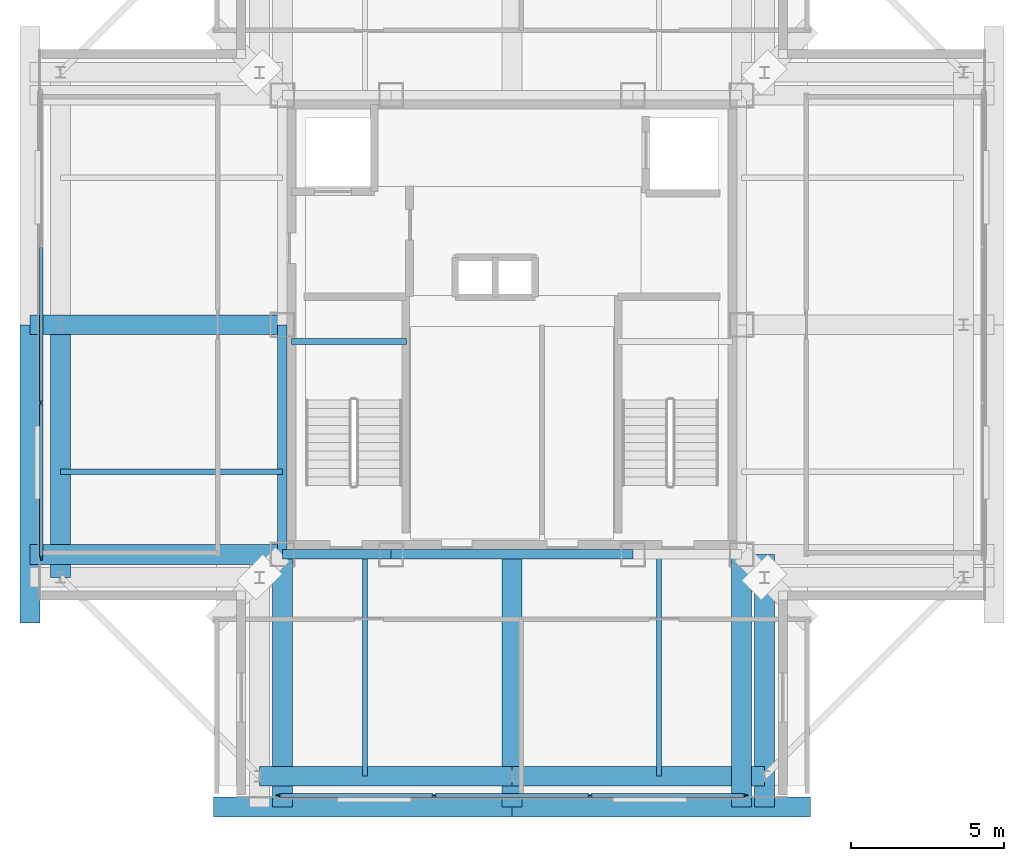
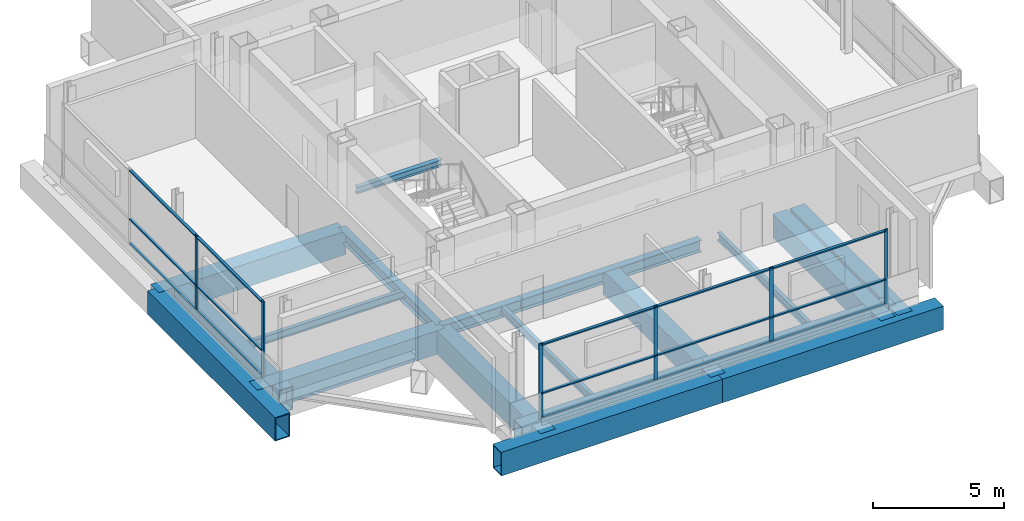
# One storey, part 2 of 10: 21 members, 19 beams, 2 elements without a shape of their own.
"""IFC4 building model written with IfcOpenShell, lengths in metres."""

from ifc_helpers import new_model, si_unit, direction, frame, origin, origin_2d, place, context, subcontext, project, spatial, rectangle, hollow_rectangle, i_section, extrude, material, layer, layer_set, material_profile, profile_set, type_object, element, aggregate, save


model = new_model("IFC4")

# Units and contexts
model_context = context("Model", 3, precision=1e-05, world=origin(), true_north=direction((0.0, 1.0)))
body_context = subcontext(model_context, "Body", "Model", "MODEL_VIEW")
ifc_project = project(units=[si_unit("LENGTHUNIT", "METRE"), si_unit("AREAUNIT", "SQUARE_METRE"), si_unit("VOLUMEUNIT", "CUBIC_METRE"), si_unit("PLANEANGLEUNIT", "RADIAN"), si_unit("MASSUNIT", "GRAM", prefix="KILO")], contexts=[model_context])

# Site, building, storey
site_placement = place(None, origin())
site = spatial("IfcSite", under=ifc_project, at=site_placement, CompositionType="ELEMENT")
building_placement = place(site_placement, origin())
building = spatial("IfcBuilding", under=site, at=building_placement, Name="Trevonay Congress Spire", CompositionType="ELEMENT")
storey_placement = place(building_placement, frame((0.0, 0.0, 316.0)))
storey = spatial("IfcBuildingStorey", under=building, at=storey_placement, Name="L83", CompositionType="ELEMENT", Elevation=316.0)

# Beams
ifc_material_1 = material(Name="Steel ASTM A572 Grade 50", Category="steel")
ifc_material_profile_1 = material_profile(ifc_material_1, i_section(OverallWidth=0.31201171875, OverallDepth=0.54296875, WebThickness=0.0126953125, FlangeThickness=0.020263671875, FilletRadius=0.014892578125, at=origin_2d()), Name="W530x150")
ifc_profile_set_1 = profile_set([ifc_material_profile_1], Name="Steel ASTM A572 Grade 50")
beam_type_1 = type_object("IfcBeamType", Name="BM-GIRD-W530X150", PredefinedType="BEAM", material=ifc_profile_set_1)
beam_1_placement = place(storey_placement, frame((-7.5, -7.5, -0.67138671875), z_axis=(1.0, 0.0, 0.0), x_axis=(0.0, 1.0, 0.0)))
element("IfcBeam", 1, at=beam_1_placement, inside=storey, type_object=beam_type_1, Name="L83 structural beam BM-L83-CR-S1", PredefinedType="BEAM", context=body_context, shape_type="SweptSolid", body=[
    extrude(i_section(OverallWidth=0.31201171875, OverallDepth=0.54296875, WebThickness=0.0126953125, FlangeThickness=0.020263671875, FilletRadius=0.014892578125, at=origin_2d()), origin(), (0.0, 0.0, 1.0), 3.550048828125),
])
beam_2_placement = place(storey_placement, frame((-3.949951171875, -7.5, -0.67138671875), z_axis=(1.0, 0.0, 0.0), x_axis=(0.0, 1.0, 0.0)))
element("IfcBeam", 2, at=beam_2_placement, inside=storey, type_object=beam_type_1, Name="L83 structural beam BM-L83-CR-S2", PredefinedType="BEAM", context=body_context, shape_type="SweptSolid", body=[
    extrude(i_section(OverallWidth=0.31201171875, OverallDepth=0.54296875, WebThickness=0.0126953125, FlangeThickness=0.020263671875, FilletRadius=0.014892578125, at=origin_2d()), origin(), (0.0, 0.0, 1.0), 7.89990234375),
])
beam_3_placement = place(storey_placement, frame((-7.5, -7.5, -0.67138671875), z_axis=(0.0, 1.0, 0.0), x_axis=(-1.0, 0.0, 0.0)))
element("IfcBeam", 3, at=beam_3_placement, inside=storey, type_object=beam_type_1, Name="L83 structural beam BM-L83-CR-W1", PredefinedType="BEAM", context=body_context, shape_type="SweptSolid", body=[
    extrude(i_section(OverallWidth=0.31201171875, OverallDepth=0.54296875, WebThickness=0.0126953125, FlangeThickness=0.020263671875, FilletRadius=0.014892578125, at=origin_2d()), origin(), (0.0, 0.0, 1.0), 7.5),
])
ifc_material_profile_2 = material_profile(ifc_material_1, hollow_rectangle(XDim=0.64990234375, YDim=1.10009765625, WallThickness=0.044921875, at=origin_2d()), Name="BOX 1100x650x45")
ifc_profile_set_2 = profile_set([ifc_material_profile_2], Name="Steel ASTM A572 Grade 50")
beam_type_2 = type_object("IfcBeamType", Name="BM-RING-BOX1100", PredefinedType="BEAM", material=ifc_profile_set_2)
for number, where, z_axis, x_axis, name in (
    (4, (-8.25, -14.75, -0.949951171875), (1.0, 0.0, 0.0), (0.0, 1.0, 0.0), "L83 structural beam BM-L83-PS1"),
    (5, (-14.75, -8.25, -0.949951171875), (0.0, 1.0, 0.0), (-1.0, 0.0, 0.0), "L83 structural beam BM-L83-PW1"),
    (6, (0.0, -14.75, -0.949951171875), (1.0, 0.0, 0.0), (0.0, 1.0, 0.0), "L83 structural beam BM-L83-PS2"),
):
    element("IfcBeam", number, at=place(storey_placement, frame(where, z_axis=z_axis, x_axis=x_axis)), inside=storey, type_object=beam_type_2, Name=name, PredefinedType="BEAM", context=body_context, shape_type="SweptSolid", body=[
        extrude(hollow_rectangle(XDim=0.64990234375, YDim=1.10009765625, WallThickness=0.044921875, at=origin_2d()), origin(), (0.0, 0.0, 1.0), 8.25),
    ])
for number, where, z_axis, x_axis, name in (
    (7, (-9.75, -15.75, -0.949951171875), (1.0, 0.0, 0.0), (0.0, 1.0, 0.0), "L83 structural beam XOUT-L83-S0"),
    (8, (-15.75, -9.75, -0.949951171875), (0.0, 1.0, 0.0), (-1.0, 0.0, 0.0), "L83 structural beam XOUT-L83-W0"),
    (9, (0.0, -15.75, -0.949951171875), (1.0, 0.0, 0.0), (0.0, 1.0, 0.0), "L83 structural beam XOUT-L83-S1"),
):
    element("IfcBeam", number, at=place(storey_placement, frame(where, z_axis=z_axis, x_axis=x_axis)), inside=storey, type_object=beam_type_2, Name=name, PredefinedType="BEAM", context=body_context, shape_type="SweptSolid", body=[
        extrude(hollow_rectangle(XDim=0.64990234375, YDim=1.10009765625, WallThickness=0.044921875, at=origin_2d()), origin(), (0.0, 0.0, 1.0), 9.75),
    ])
ifc_material_profile_3 = material_profile(ifc_material_1, hollow_rectangle(XDim=0.64990234375, YDim=1.10009765625, WallThickness=0.044921875, at=origin_2d()), Name="BOX 1100x650x45")
ifc_profile_set_3 = profile_set([ifc_material_profile_3], Name="Steel ASTM A572 Grade 50")
beam_type_3 = type_object("IfcBeamType", Name="BM-XFER-BOX1100", PredefinedType="BEAM", material=ifc_profile_set_3)
for number, where, z_axis, x_axis, name in (
    (10, (-7.5, -7.5, -0.949951171875), (-1.0, 0.0, 0.0), (0.0, -1.0, 0.0), "L83 structural beam XSPN-L83-CX-SW"),
    (11, (-7.5, -7.5, -0.949951171875), (0.0, -1.0, 0.0), (1.0, 0.0, 0.0), "L83 structural beam XSPN-L83-CY-SW"),
    (12, (7.5, -7.5, -0.949951171875), (0.0, -1.0, 0.0), (1.0, 0.0, 0.0), "L83 structural beam XSPN-L83-CY-SE"),
    (13, (0.0, -7.5, -0.949951171875), (0.0, -1.0, 0.0), (1.0, 0.0, 0.0), "L83 structural beam XFER-L83-S1"),
    (14, (-7.5, 0.0, -0.949951171875), (-1.0, 0.0, 0.0), (0.0, -1.0, 0.0), "L83 structural beam XFER-L83-W1"),
    (15, (8.25, -7.5, -0.949951171875), (0.0, -1.0, 0.0), (1.0, 0.0, 0.0), "L83 structural beam XFER-L83-S2"),
):
    element("IfcBeam", number, at=place(storey_placement, frame(where, z_axis=z_axis, x_axis=x_axis)), inside=storey, type_object=beam_type_3, Name=name, PredefinedType="BEAM", context=body_context, shape_type="SweptSolid", body=[
        extrude(hollow_rectangle(XDim=0.64990234375, YDim=1.10009765625, WallThickness=0.044921875, at=origin_2d()), origin(), (0.0, 0.0, 1.0), 8.25),
    ])

# Curtain wall, members
ifc_material_2 = material(Name="Pale Anodised Aluminium EN AW-6063-T6", Category="aluminium")
ifc_layer = layer(ifc_material_2, 0.159912109375, Name="Pale Anodised Aluminium EN AW-6063-T6")
ifc_layer_set = layer_set([ifc_layer], Name="Pale Anodised Aluminium EN AW-6063-T6")
curtain_wall_type = type_object("IfcCurtainWallType", Name="CW-SYS06-CROWN-PALE-METAL", PredefinedType="NOTDEFINED", material=ifc_layer_set)
curtain_wall_1_placement = place(storey_placement, origin())
curtain_wall_1 = element("IfcCurtainWall", 16, at=curtain_wall_1_placement, inside=storey, type_object=curtain_wall_type, Name="L83 S unitised curtain wall", PredefinedType="NOTDEFINED")
ifc_material_profile_4 = material_profile(ifc_material_2, rectangle(XDim=0.06005859375, YDim=0.159912109375, at=origin_2d()), Name="CW-MULLION-160-ALUMINIUM")
ifc_profile_set_4 = profile_set([ifc_material_profile_4], Name="Pale Anodised Aluminium EN AW-6063-T6")
member_type_1 = type_object("IfcMemberType", Name="CW-MULLION-160-ALUMINIUM", PredefinedType="MULLION", material=ifc_profile_set_4)
member_1_placement = place(storey_placement, frame((-7.6201171875, -15.3798828125, 0.0), z_axis=(0.0, 0.0, 1.0), x_axis=(0.0, 1.0, 0.0)))
member_1 = element("IfcMember", 17, at=member_1_placement, type_object=member_type_1, Name="CW06 mullion 1", PredefinedType="MULLION", context=body_context, shape_type="SweptSolid", body=[
    extrude(rectangle(XDim=0.06005859375, YDim=0.159912109375, at=origin_2d()), origin(), (0.0, 0.0, 1.0), 3.52001953125),
])
member_2_placement = place(storey_placement, frame((-2.550048828125, -15.3798828125, 0.0), z_axis=(0.0, 0.0, 1.0), x_axis=(0.0, 1.0, 0.0)))
member_2 = element("IfcMember", 18, at=member_2_placement, type_object=member_type_1, Name="CW06 mullion 2", PredefinedType="MULLION", context=body_context, shape_type="SweptSolid", body=[
    extrude(rectangle(XDim=0.06005859375, YDim=0.159912109375, at=origin_2d()), origin(), (0.0, 0.0, 1.0), 3.52001953125),
])
member_3_placement = place(storey_placement, frame((2.550048828125, -15.3798828125, 0.0), z_axis=(0.0, 0.0, 1.0), x_axis=(0.0, 1.0, 0.0)))
member_3 = element("IfcMember", 19, at=member_3_placement, type_object=member_type_1, Name="CW06 mullion 3", PredefinedType="MULLION", context=body_context, shape_type="SweptSolid", body=[
    extrude(rectangle(XDim=0.06005859375, YDim=0.159912109375, at=origin_2d()), origin(), (0.0, 0.0, 1.0), 3.52001953125),
])
member_4_placement = place(storey_placement, frame((7.6201171875, -15.3798828125, 0.0), z_axis=(0.0, 0.0, 1.0), x_axis=(0.0, 1.0, 0.0)))
member_4 = element("IfcMember", 20, at=member_4_placement, type_object=member_type_1, Name="CW06 mullion 4", PredefinedType="MULLION", context=body_context, shape_type="SweptSolid", body=[
    extrude(rectangle(XDim=0.06005859375, YDim=0.159912109375, at=origin_2d()), origin(), (0.0, 0.0, 1.0), 3.52001953125),
])

curtain_wall_2_placement = place(storey_placement, origin())
curtain_wall_2 = element("IfcCurtainWall", 21, at=curtain_wall_2_placement, inside=storey, type_object=curtain_wall_type, Name="L83 W unitised curtain wall", PredefinedType="NOTDEFINED")
member_5_placement = place(storey_placement, frame((-15.3798828125, -7.6201171875, 0.0), z_axis=(0.0, 0.0, 1.0), x_axis=(-1.0, 0.0, 0.0)))
member_5 = element("IfcMember", 22, at=member_5_placement, type_object=member_type_1, Name="CW06 mullion 1", PredefinedType="MULLION", context=body_context, shape_type="SweptSolid", body=[
    extrude(rectangle(XDim=0.06005859375, YDim=0.159912109375, at=origin_2d()), origin(), (0.0, 0.0, 1.0), 3.52001953125),
])
member_6_placement = place(storey_placement, frame((-15.3798828125, -2.550048828125, 0.0), z_axis=(0.0, 0.0, 1.0), x_axis=(-1.0, 0.0, 0.0)))
member_6 = element("IfcMember", 23, at=member_6_placement, type_object=member_type_1, Name="CW06 mullion 2", PredefinedType="MULLION", context=body_context, shape_type="SweptSolid", body=[
    extrude(rectangle(XDim=0.06005859375, YDim=0.159912109375, at=origin_2d()), origin(), (0.0, 0.0, 1.0), 3.52001953125),
])

# Member
ifc_material_profile_5 = material_profile(ifc_material_2, rectangle(XDim=0.1201171875, YDim=0.06005859375, at=origin_2d()), Name="CW-TRANSOM-120-ALUMINIUM")
ifc_profile_set_5 = profile_set([ifc_material_profile_5], Name="Pale Anodised Aluminium EN AW-6063-T6")
member_type_2 = type_object("IfcMemberType", Name="CW-TRANSOM-120-ALUMINIUM", PredefinedType="USERDEFINED", material=ifc_profile_set_5)
member_7_placement = place(storey_placement, frame((-7.590087890625, -15.3798828125, 0.06005859375), z_axis=(1.0, 0.0, 0.0), x_axis=(0.0, 1.0, 0.0)))
member_7 = element("IfcMember", 24, at=member_7_placement, type_object=member_type_2, Name="CW06 transom 1.1", ObjectType="TRANSOM", PredefinedType="USERDEFINED", context=body_context, shape_type="SweptSolid", body=[
    extrude(rectangle(XDim=0.1201171875, YDim=0.06005859375, at=origin_2d()), origin(), (0.0, 0.0, 1.0), 5.010009765625),
])

member_8_placement = place(storey_placement, frame((-7.590087890625, -15.3798828125, 1.19677734375), z_axis=(1.0, 0.0, 0.0), x_axis=(0.0, 1.0, 0.0)))
member_8 = element("IfcMember", 25, at=member_8_placement, type_object=member_type_2, Name="CW06 transom 1.2", ObjectType="TRANSOM", PredefinedType="USERDEFINED", context=body_context, shape_type="SweptSolid", body=[
    extrude(rectangle(XDim=0.1201171875, YDim=0.06005859375, at=origin_2d()), origin(), (0.0, 0.0, 1.0), 5.010009765625),
])

member_9_placement = place(storey_placement, frame((-7.590087890625, -15.3798828125, 3.4599609375), z_axis=(1.0, 0.0, 0.0), x_axis=(0.0, 1.0, 0.0)))
member_9 = element("IfcMember", 26, at=member_9_placement, type_object=member_type_2, Name="CW06 transom 1.3", ObjectType="TRANSOM", PredefinedType="USERDEFINED", context=body_context, shape_type="SweptSolid", body=[
    extrude(rectangle(XDim=0.1201171875, YDim=0.06005859375, at=origin_2d()), origin(), (0.0, 0.0, 1.0), 5.010009765625),
])

member_10_placement = place(storey_placement, frame((-2.52001953125, -15.3798828125, 0.06005859375), z_axis=(1.0, 0.0, 0.0), x_axis=(0.0, 1.0, 0.0)))
member_10 = element("IfcMember", 27, at=member_10_placement, type_object=member_type_2, Name="CW06 transom 2.1", ObjectType="TRANSOM", PredefinedType="USERDEFINED", context=body_context, shape_type="SweptSolid", body=[
    extrude(rectangle(XDim=0.1201171875, YDim=0.06005859375, at=origin_2d()), origin(), (0.0, 0.0, 1.0), 5.0400390625),
])

member_11_placement = place(storey_placement, frame((-2.52001953125, -15.3798828125, 1.19677734375), z_axis=(1.0, 0.0, 0.0), x_axis=(0.0, 1.0, 0.0)))
member_11 = element("IfcMember", 28, at=member_11_placement, type_object=member_type_2, Name="CW06 transom 2.2", ObjectType="TRANSOM", PredefinedType="USERDEFINED", context=body_context, shape_type="SweptSolid", body=[
    extrude(rectangle(XDim=0.1201171875, YDim=0.06005859375, at=origin_2d()), origin(), (0.0, 0.0, 1.0), 5.0400390625),
])

member_12_placement = place(storey_placement, frame((-2.52001953125, -15.3798828125, 3.4599609375), z_axis=(1.0, 0.0, 0.0), x_axis=(0.0, 1.0, 0.0)))
member_12 = element("IfcMember", 29, at=member_12_placement, type_object=member_type_2, Name="CW06 transom 2.3", ObjectType="TRANSOM", PredefinedType="USERDEFINED", context=body_context, shape_type="SweptSolid", body=[
    extrude(rectangle(XDim=0.1201171875, YDim=0.06005859375, at=origin_2d()), origin(), (0.0, 0.0, 1.0), 5.0400390625),
])

member_13_placement = place(storey_placement, frame((2.580078125, -15.3798828125, 0.06005859375), z_axis=(1.0, 0.0, 0.0), x_axis=(0.0, 1.0, 0.0)))
member_13 = element("IfcMember", 30, at=member_13_placement, type_object=member_type_2, Name="CW06 transom 3.1", ObjectType="TRANSOM", PredefinedType="USERDEFINED", context=body_context, shape_type="SweptSolid", body=[
    extrude(rectangle(XDim=0.1201171875, YDim=0.06005859375, at=origin_2d()), origin(), (0.0, 0.0, 1.0), 5.010009765625),
])

member_14_placement = place(storey_placement, frame((2.580078125, -15.3798828125, 1.19677734375), z_axis=(1.0, 0.0, 0.0), x_axis=(0.0, 1.0, 0.0)))
member_14 = element("IfcMember", 31, at=member_14_placement, type_object=member_type_2, Name="CW06 transom 3.2", ObjectType="TRANSOM", PredefinedType="USERDEFINED", context=body_context, shape_type="SweptSolid", body=[
    extrude(rectangle(XDim=0.1201171875, YDim=0.06005859375, at=origin_2d()), origin(), (0.0, 0.0, 1.0), 5.010009765625),
])

member_15_placement = place(storey_placement, frame((2.580078125, -15.3798828125, 3.4599609375), z_axis=(1.0, 0.0, 0.0), x_axis=(0.0, 1.0, 0.0)))
member_15 = element("IfcMember", 32, at=member_15_placement, type_object=member_type_2, Name="CW06 transom 3.3", ObjectType="TRANSOM", PredefinedType="USERDEFINED", context=body_context, shape_type="SweptSolid", body=[
    extrude(rectangle(XDim=0.1201171875, YDim=0.06005859375, at=origin_2d()), origin(), (0.0, 0.0, 1.0), 5.010009765625),
])

aggregate(curtain_wall_1, [member_1, member_2, member_3, member_4, member_7, member_8, member_9, member_10, member_11, member_12, member_13, member_14, member_15])

member_16_placement = place(storey_placement, frame((-15.3798828125, -7.590087890625, 0.06005859375), z_axis=(0.0, 1.0, 0.0), x_axis=(-1.0, 0.0, 0.0)))
member_16 = element("IfcMember", 33, at=member_16_placement, type_object=member_type_2, Name="CW06 transom 1.1", ObjectType="TRANSOM", PredefinedType="USERDEFINED", context=body_context, shape_type="SweptSolid", body=[
    extrude(rectangle(XDim=0.1201171875, YDim=0.06005859375, at=origin_2d()), origin(), (0.0, 0.0, 1.0), 5.010009765625),
])

member_17_placement = place(storey_placement, frame((-15.3798828125, -7.590087890625, 1.19677734375), z_axis=(0.0, 1.0, 0.0), x_axis=(-1.0, 0.0, 0.0)))
member_17 = element("IfcMember", 34, at=member_17_placement, type_object=member_type_2, Name="CW06 transom 1.2", ObjectType="TRANSOM", PredefinedType="USERDEFINED", context=body_context, shape_type="SweptSolid", body=[
    extrude(rectangle(XDim=0.1201171875, YDim=0.06005859375, at=origin_2d()), origin(), (0.0, 0.0, 1.0), 5.010009765625),
])

member_18_placement = place(storey_placement, frame((-15.3798828125, -7.590087890625, 3.4599609375), z_axis=(0.0, 1.0, 0.0), x_axis=(-1.0, 0.0, 0.0)))
member_18 = element("IfcMember", 35, at=member_18_placement, type_object=member_type_2, Name="CW06 transom 1.3", ObjectType="TRANSOM", PredefinedType="USERDEFINED", context=body_context, shape_type="SweptSolid", body=[
    extrude(rectangle(XDim=0.1201171875, YDim=0.06005859375, at=origin_2d()), origin(), (0.0, 0.0, 1.0), 5.010009765625),
])

member_19_placement = place(storey_placement, frame((-15.3798828125, -2.52001953125, 0.06005859375), z_axis=(0.0, 1.0, 0.0), x_axis=(-1.0, 0.0, 0.0)))
member_19 = element("IfcMember", 36, at=member_19_placement, type_object=member_type_2, Name="CW06 transom 2.1", ObjectType="TRANSOM", PredefinedType="USERDEFINED", context=body_context, shape_type="SweptSolid", body=[
    extrude(rectangle(XDim=0.1201171875, YDim=0.06005859375, at=origin_2d()), origin(), (0.0, 0.0, 1.0), 5.0400390625),
])

member_20_placement = place(storey_placement, frame((-15.3798828125, -2.52001953125, 1.19677734375), z_axis=(0.0, 1.0, 0.0), x_axis=(-1.0, 0.0, 0.0)))
member_20 = element("IfcMember", 37, at=member_20_placement, type_object=member_type_2, Name="CW06 transom 2.2", ObjectType="TRANSOM", PredefinedType="USERDEFINED", context=body_context, shape_type="SweptSolid", body=[
    extrude(rectangle(XDim=0.1201171875, YDim=0.06005859375, at=origin_2d()), origin(), (0.0, 0.0, 1.0), 5.0400390625),
])

member_21_placement = place(storey_placement, frame((-15.3798828125, -2.52001953125, 3.4599609375), z_axis=(0.0, 1.0, 0.0), x_axis=(-1.0, 0.0, 0.0)))
member_21 = element("IfcMember", 38, at=member_21_placement, type_object=member_type_2, Name="CW06 transom 2.3", ObjectType="TRANSOM", PredefinedType="USERDEFINED", context=body_context, shape_type="SweptSolid", body=[
    extrude(rectangle(XDim=0.1201171875, YDim=0.06005859375, at=origin_2d()), origin(), (0.0, 0.0, 1.0), 5.0400390625),
])

aggregate(curtain_wall_2, [member_5, member_6, member_16, member_17, member_18, member_19, member_20, member_21])

# Beams
ifc_material_profile_6 = material_profile(ifc_material_1, i_section(OverallWidth=0.172119140625, OverallDepth=0.35791015625, WebThickness=0.0078125, FlangeThickness=0.01318359375, FilletRadius=0.011962890625, at=origin_2d()), Name="W360x57.8")
ifc_profile_set_6 = profile_set([ifc_material_profile_6], Name="Steel ASTM A572 Grade 50")
beam_type_4 = type_object("IfcBeamType", Name="JS-COMP-W360X57", PredefinedType="JOIST", material=ifc_profile_set_6)
for number, where, z_axis, x_axis, name in (
    (39, (-4.800048828125, -14.75, -0.5791015625), (0.0, 1.0, 0.0), (-1.0, 0.0, 0.0), "L83 structural beam JS-L83-NS-S1"),
    (40, (-14.75, -4.800048828125, -0.5791015625), (1.0, 0.0, 0.0), (0.0, 1.0, 0.0), "L83 structural beam JS-L83-EW-W1"),
    (41, (4.800048828125, -14.75, -0.5791015625), (0.0, 1.0, 0.0), (-1.0, 0.0, 0.0), "L83 structural beam JS-L83-NS-S3"),
):
    element("IfcBeam", number, at=place(storey_placement, frame(where, z_axis=z_axis, x_axis=x_axis)), inside=storey, type_object=beam_type_4, Name=name, PredefinedType="JOIST", context=body_context, shape_type="SweptSolid", body=[
        extrude(i_section(OverallWidth=0.172119140625, OverallDepth=0.35791015625, WebThickness=0.0078125, FlangeThickness=0.01318359375, FilletRadius=0.011962890625, at=origin_2d()), origin(), (0.0, 0.0, 1.0), 7.25),
    ])
ifc_material_profile_7 = material_profile(ifc_material_1, i_section(OverallWidth=0.2041015625, OverallDepth=0.305908203125, WebThickness=0.008544921875, FlangeThickness=0.0146484375, FilletRadius=0.010986328125, at=origin_2d()), Name="W310x67")
ifc_profile_set_7 = profile_set([ifc_material_profile_7], Name="Steel ASTM A572 Grade 50")
beam_type_5 = type_object("IfcBeamType", Name="LN-CORE-W310X67", PredefinedType="LINTEL", material=ifc_profile_set_7)
beam_4_placement = place(storey_placement, frame((-7.199951171875, -0.550048828125, 1.547119140625), z_axis=(1.0, 0.0, 0.0), x_axis=(0.0, 1.0, 0.0)))
element("IfcBeam", 42, at=beam_4_placement, inside=storey, type_object=beam_type_5, Name="L83 structural beam BM-L83-HL-ST1", PredefinedType="LINTEL", context=body_context, shape_type="SweptSolid", body=[
    extrude(i_section(OverallWidth=0.2041015625, OverallDepth=0.305908203125, WebThickness=0.008544921875, FlangeThickness=0.0146484375, FilletRadius=0.010986328125, at=origin_2d()), origin(), (0.0, 0.0, 1.0), 3.75),
])

save(model, "model.ifc")
